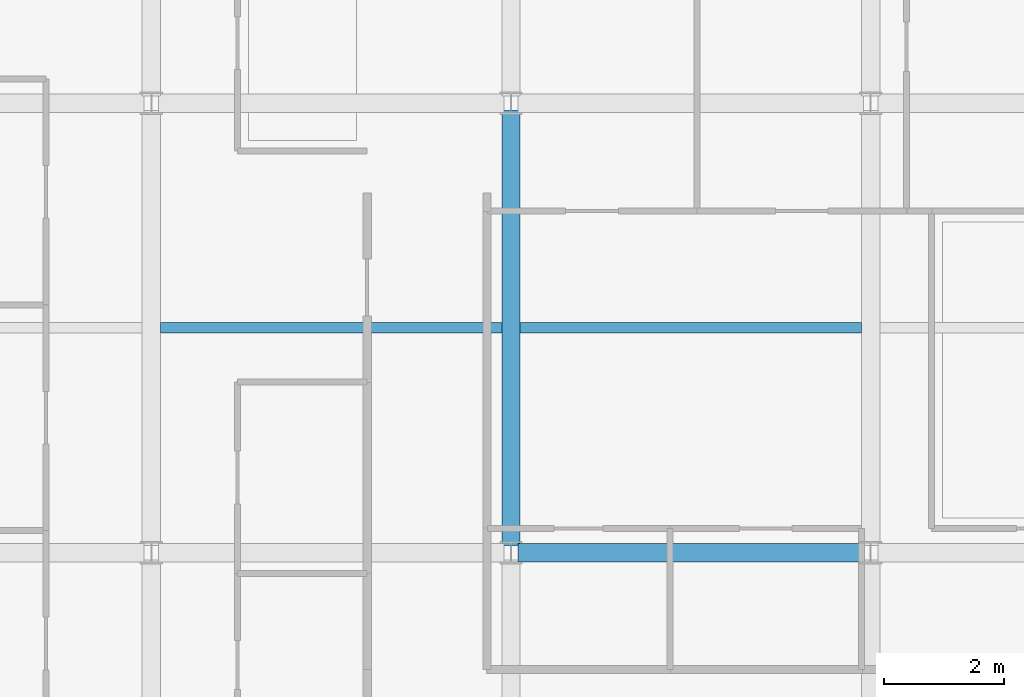
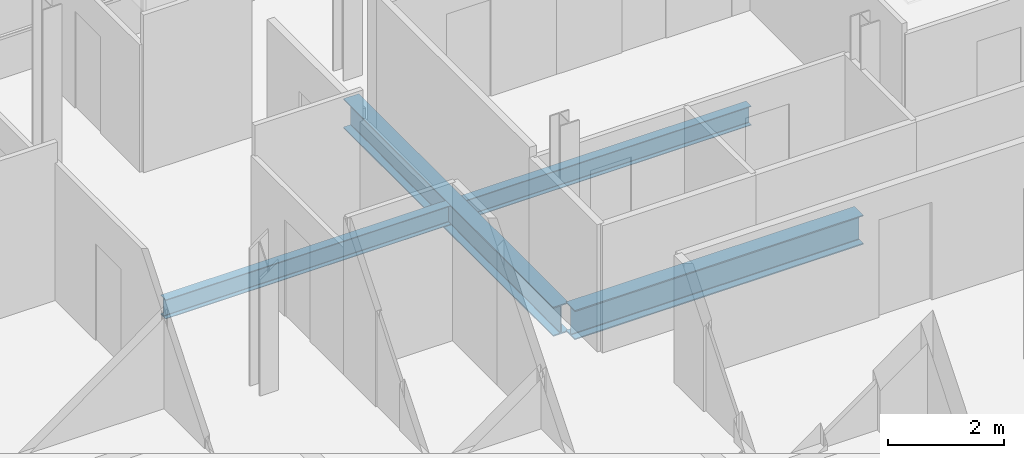
# One storey, part 7 of 35: 4 beams.
"""IFC4 building model written with IfcOpenShell, lengths in metres."""

from ifc_helpers import new_model, si_unit, direction, frame, origin, origin_2d, place, context, subcontext, project, spatial, i_section, extrude, material, material_profile, profile_set, type_object, element, save


model = new_model("IFC4")

# Units and contexts
model_context = context("Model", 3, precision=1e-05, world=origin(), true_north=direction((0.0, 1.0)))
body_context = subcontext(model_context, "Body", "Model", "MODEL_VIEW")
ifc_project = project(units=[si_unit("LENGTHUNIT", "METRE"), si_unit("AREAUNIT", "SQUARE_METRE"), si_unit("VOLUMEUNIT", "CUBIC_METRE"), si_unit("PLANEANGLEUNIT", "RADIAN"), si_unit("MASSUNIT", "GRAM", prefix="KILO")], contexts=[model_context])

# Site, building, storey
site_placement = place(None, origin())
site = spatial("IfcSite", under=ifc_project, at=site_placement, CompositionType="ELEMENT")
building_placement = place(site_placement, origin())
building = spatial("IfcBuilding", under=site, at=building_placement, Name="Brevholm Reach", CompositionType="ELEMENT")
storey_placement = place(building_placement, frame((0.0, 0.0, 214.39990234375)))
storey = spatial("IfcBuildingStorey", under=building, at=storey_placement, Name="L65", CompositionType="ELEMENT", Elevation=214.39990234375)

# Beams
ifc_material_1 = material(Name="Structural Steel S355J2", Category="steel")
ifc_material_profile_1 = material_profile(ifc_material_1, i_section(OverallWidth=0.177978515625, OverallDepth=0.406494140625, WebThickness=0.0078125, FlangeThickness=0.0126953125, FilletRadius=0.01025390625, at=origin_2d()), Name="UKB 406x178x60")
ifc_profile_set_1 = profile_set([ifc_material_profile_1], Name="Structural Steel S355J2")
beam_type_1 = type_object("IfcBeamType", Name="BM-B406", PredefinedType="BEAM", material=ifc_profile_set_1)
for number, where, z_axis, x_axis, name in (
    (1, (6.153564453125, 19.75, -0.623046875), (1.0, 0.0, 0.0), (0.0, 1.0, 0.0), "L65 Composite Secondary Floor Beam"),
    (2, (12.153564453125, 19.75, -0.623046875), (1.0, 0.0, 0.0), (0.0, 1.0, 0.0), "L65 Composite Secondary Floor Beam"),
):
    element("IfcBeam", number, at=place(storey_placement, frame(where, z_axis=z_axis, x_axis=x_axis)), inside=storey, type_object=beam_type_1, Name=name, PredefinedType="BEAM", context=body_context, shape_type="SweptSolid", body=[
        extrude(i_section(OverallWidth=0.177978515625, OverallDepth=0.406494140625, WebThickness=0.0078125, FlangeThickness=0.0126953125, FilletRadius=0.01025390625, at=origin_2d()), origin(), (0.0, 0.0, 1.0), 5.69287109375),
    ])
ifc_material_2 = material(Name="Structural Steel S355J2", Category="steel")
ifc_material_profile_2 = material_profile(ifc_material_2, i_section(OverallWidth=0.30712890625, OverallDepth=0.6201171875, WebThickness=0.01416015625, FlangeThickness=0.023681640625, FilletRadius=0.0166015625, at=origin_2d()), Name="UKB 610x305x179")
ifc_profile_set_2 = profile_set([ifc_material_profile_2], Name="Structural Steel S355J2")
beam_type_2 = type_object("IfcBeamType", Name="BM-UKB610H", PredefinedType="USERDEFINED", material=ifc_profile_set_2)
beam_1_placement = place(storey_placement, frame((12.1201171875, 16.0, -0.72998046875), z_axis=(1.0, 0.0, 0.0), x_axis=(0.0, 1.0, 0.0)))
element("IfcBeam", 3, at=beam_1_placement, inside=storey, type_object=beam_type_2, Name="L65 G-06 Framing Beam", ObjectType="GIRDER", PredefinedType="USERDEFINED", context=body_context, shape_type="SweptSolid", body=[
    extrude(i_section(OverallWidth=0.30712890625, OverallDepth=0.6201171875, WebThickness=0.01416015625, FlangeThickness=0.023681640625, FilletRadius=0.0166015625, at=origin_2d()), origin(), (0.0, 0.0, 1.0), 5.759765625),
])
beam_2_placement = place(storey_placement, frame((12.0, 16.1201171875, -0.72998046875), z_axis=(0.0, 1.0, 0.0), x_axis=(-1.0, 0.0, 0.0)))
element("IfcBeam", 4, at=beam_2_placement, inside=storey, type_object=beam_type_2, Name="L65 G-06 Framing Beam", ObjectType="GIRDER", PredefinedType="USERDEFINED", context=body_context, shape_type="SweptSolid", body=[
    extrude(i_section(OverallWidth=0.30712890625, OverallDepth=0.6201171875, WebThickness=0.01416015625, FlangeThickness=0.023681640625, FilletRadius=0.0166015625, at=origin_2d()), origin(), (0.0, 0.0, 1.0), 7.259765625),
])

save(model, "model.ifc")
